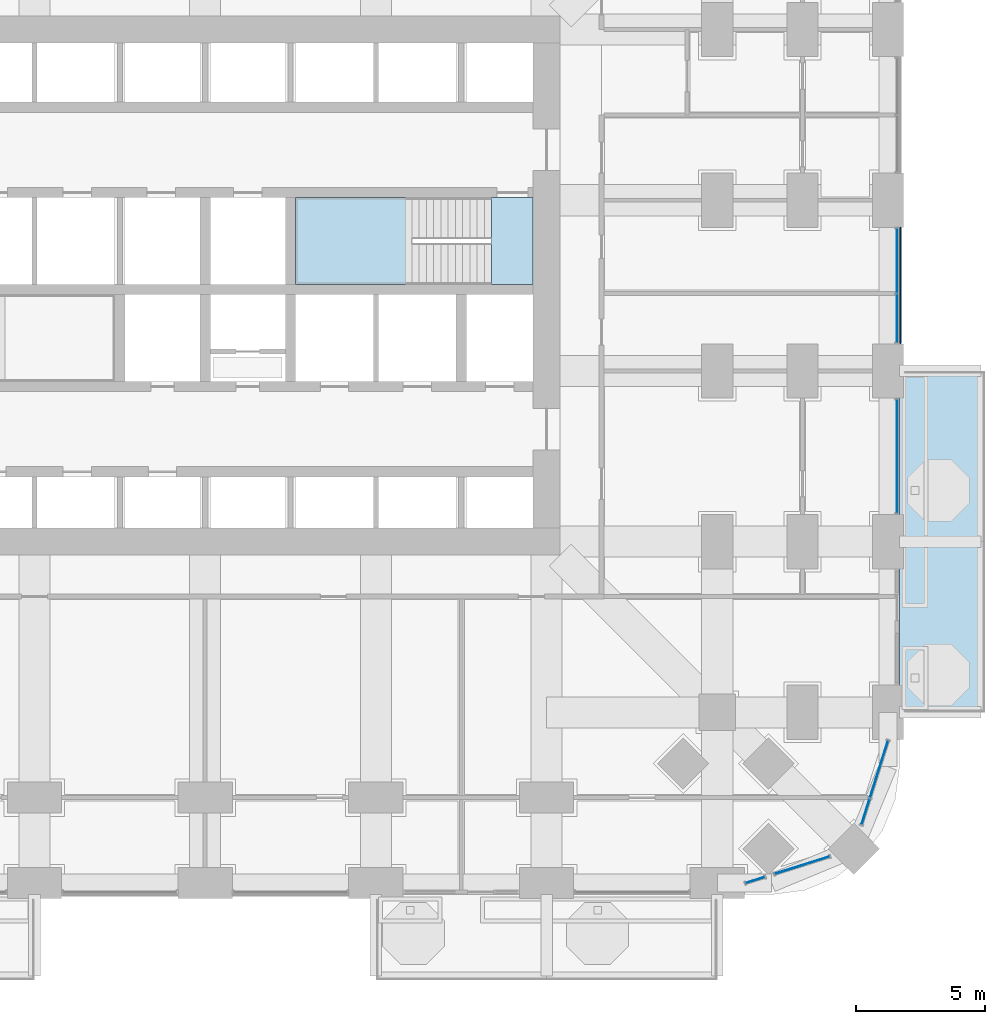
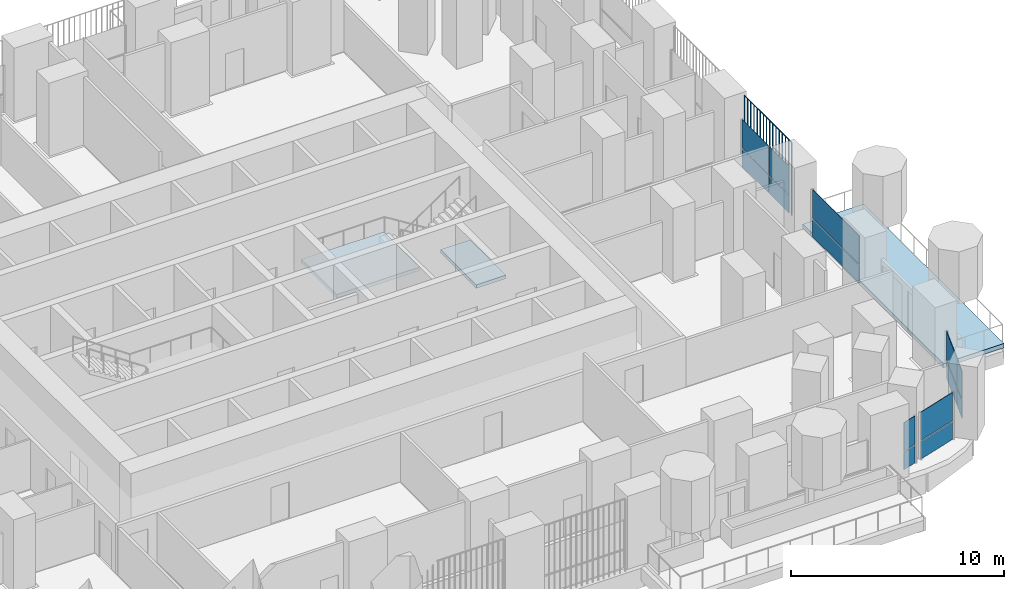
# One storey, part 14 of 27: 15 plates, 3 slabs, 6 elements without a shape of their own.
"""IFC4 building model written with IfcOpenShell, lengths in metres."""

from ifc_helpers import new_model, si_unit, direction, frame, origin, origin_2d, place, context, subcontext, project, spatial, polyline, rectangle, outline, extrude, material, layer, layer_set, type_object, element, aggregate, save


model = new_model("IFC4")

# Units and contexts
model_context = context("Model", 3, precision=1e-05, world=origin(), true_north=direction((0.0, 1.0)))
body_context = subcontext(model_context, "Body", "Model", "MODEL_VIEW")
ifc_project = project(units=[si_unit("LENGTHUNIT", "METRE"), si_unit("AREAUNIT", "SQUARE_METRE"), si_unit("VOLUMEUNIT", "CUBIC_METRE"), si_unit("PLANEANGLEUNIT", "RADIAN"), si_unit("MASSUNIT", "GRAM", prefix="KILO")], contexts=[model_context])

# Site, building, storey
site_placement = place(None, origin())
site = spatial("IfcSite", under=ifc_project, at=site_placement, CompositionType="ELEMENT")
building_placement = place(site_placement, origin())
building = spatial("IfcBuilding", under=site, at=building_placement, Name="Cobogo Forest Laboratory Tower", CompositionType="ELEMENT")
storey_placement = place(building_placement, frame((0.0, 0.0, 29.699951171875)))
storey = spatial("IfcBuildingStorey", under=building, at=storey_placement, Name="L06", CompositionType="ELEMENT", Elevation=29.699951171875)

# Slab
ifc_material_1 = material(Name="Concrete HA-40 (C40/50)", Category="concrete")
ifc_layer_1 = layer(ifc_material_1, 0.25)
ifc_layer_set_1 = layer_set([ifc_layer_1], Name="Balcony slab 250")
slab_type_1 = type_object("IfcSlabType", Name="Balcony slab 250", PredefinedType="FLOOR", material=ifc_layer_set_1)
slab_1_placement = place(storey_placement, frame((0.0, 0.0, -0.25)))
element("IfcSlab", 1, at=slab_1_placement, inside=storey, type_object=slab_type_1, Name="Balcony BAL-E1 L06", PredefinedType="FLOOR", context=body_context, shape_type="SweptSolid", body=[
    extrude(outline(polyline([(53.25, 6.60009765625), (56.550048828125, 6.60009765625), (56.550048828125, 19.800048828125), (53.25, 19.800048828125), (53.25, 6.60009765625)])), origin(), (0.0, 0.0, 1.0), 0.25),
])

# Curtain wall, plates
ifc_material_2 = material(Name="Aluminium curtain wall", Category="aluminium")
curtain_wall_type = type_object("IfcCurtainWallType", Name="CW-1 unitised curtain wall, clear glazing, laboratory floors zones A and B", PredefinedType="USERDEFINED", material=ifc_material_2)
curtain_wall_1_placement = place(storey_placement, origin())
curtain_wall_1 = element("IfcCurtainWall", 2, at=curtain_wall_1_placement, inside=storey, type_object=curtain_wall_type, Name="Curtain wall 07 L06", ObjectType="UNITISED CURTAIN WALL", PredefinedType="USERDEFINED")
ifc_material_3 = material(Name="Clear insulated glass", Category="glass")
ifc_layer_2 = layer(ifc_material_3, 0.028076171875)
ifc_layer_set_2 = layer_set([ifc_layer_2], Name="GP-1 clear insulated glass unit 28")
plate_type_1 = type_object("IfcPlateType", Name="GP-1 clear insulated glass unit 28", PredefinedType="CURTAIN_PANEL", material=ifc_layer_set_2)
plate_1_placement = place(storey_placement, frame((47.666015625, 0.113037109375, 0.0), z_axis=(0.0, 0.0, 1.0), x_axis=(0.953581504428, 0.301135043481, 0.0)))
plate_1 = element("IfcPlate", 3, at=plate_1_placement, type_object=plate_type_1, Name="CW-1 panel 1.1", PredefinedType="CURTAIN_PANEL", context=body_context, shape_type="SweptSolid", body=[
    extrude(rectangle(XDim=0.75244140625, YDim=0.028076171875, at=origin_2d()), origin(), (0.0, 0.0, 1.0), 1.02001953125),
])
plate_2_placement = place(storey_placement, frame((47.666015625, 0.113037109375, 1.080078125), z_axis=(0.0, 0.0, 1.0), x_axis=(0.953581504428, 0.301135043481, 0.0)))
plate_2 = element("IfcPlate", 4, at=plate_2_placement, type_object=plate_type_1, Name="CW-1 panel 1.2", PredefinedType="CURTAIN_PANEL", context=body_context, shape_type="SweptSolid", body=[
    extrude(rectangle(XDim=0.75244140625, YDim=0.028076171875, at=origin_2d()), origin(), (0.0, 0.0, 1.0), 1.6201171875),
])
aggregate(curtain_wall_1, [plate_1, plate_2])

curtain_wall_2_placement = place(storey_placement, origin())
curtain_wall_2 = element("IfcCurtainWall", 5, at=curtain_wall_2_placement, inside=storey, type_object=curtain_wall_type, Name="Curtain wall 08 L06", ObjectType="UNITISED CURTAIN WALL", PredefinedType="USERDEFINED")
plate_3_placement = place(storey_placement, frame((49.482177734375, 0.6865234375, 0.0), z_axis=(0.0, 0.0, 1.0), x_axis=(0.953581409645, 0.301135343623, 0.0)))
plate_3 = element("IfcPlate", 6, at=plate_3_placement, type_object=plate_type_1, Name="CW-1 panel 1.1", PredefinedType="CURTAIN_PANEL", context=body_context, shape_type="SweptSolid", body=[
    extrude(rectangle(XDim=2.203369140625, YDim=0.028076171875, at=origin_2d()), origin(), (0.0, 0.0, 1.0), 1.02001953125),
])
plate_4_placement = place(storey_placement, frame((49.482177734375, 0.6865234375, 1.080078125), z_axis=(0.0, 0.0, 1.0), x_axis=(0.953581409645, 0.301135343623, 0.0)))
plate_4 = element("IfcPlate", 7, at=plate_4_placement, type_object=plate_type_1, Name="CW-1 panel 1.2", PredefinedType="CURTAIN_PANEL", context=body_context, shape_type="SweptSolid", body=[
    extrude(rectangle(XDim=2.203369140625, YDim=0.028076171875, at=origin_2d()), origin(), (0.0, 0.0, 1.0), 1.6201171875),
])
aggregate(curtain_wall_2, [plate_3, plate_4])

curtain_wall_3_placement = place(storey_placement, origin())
curtain_wall_3 = element("IfcCurtainWall", 8, at=curtain_wall_3_placement, inside=storey, type_object=curtain_wall_type, Name="Curtain wall 09 L06", ObjectType="UNITISED CURTAIN WALL", PredefinedType="USERDEFINED")
plate_5_placement = place(storey_placement, frame((51.9365234375, 2.75732421875, 0.0), z_axis=(0.0, 0.0, 1.0), x_axis=(0.30113535792, 0.95358140513, 0.0)))
plate_5 = element("IfcPlate", 9, at=plate_5_placement, type_object=plate_type_1, Name="CW-1 panel 1.1", PredefinedType="CURTAIN_PANEL", context=body_context, shape_type="SweptSolid", body=[
    extrude(rectangle(XDim=1.027587890625, YDim=0.028076171875, at=origin_2d()), origin(), (0.0, 0.0, 1.0), 1.02001953125),
])
plate_6_placement = place(storey_placement, frame((51.9365234375, 2.75732421875, 1.080078125), z_axis=(0.0, 0.0, 1.0), x_axis=(0.30113535792, 0.95358140513, 0.0)))
plate_6 = element("IfcPlate", 10, at=plate_6_placement, type_object=plate_type_1, Name="CW-1 panel 1.2", PredefinedType="CURTAIN_PANEL", context=body_context, shape_type="SweptSolid", body=[
    extrude(rectangle(XDim=1.027587890625, YDim=0.028076171875, at=origin_2d()), origin(), (0.0, 0.0, 1.0), 1.6201171875),
])
plate_7_placement = place(storey_placement, frame((52.454833984375, 4.398681640625, 0.0), z_axis=(0.0, 0.0, 1.0), x_axis=(0.30113535792, 0.95358140513, 0.0)))
plate_7 = element("IfcPlate", 11, at=plate_7_placement, type_object=plate_type_1, Name="CW-1 panel 2.1", PredefinedType="CURTAIN_PANEL", context=body_context, shape_type="SweptSolid", body=[
    extrude(rectangle(XDim=2.294677734375, YDim=0.028076171875, at=origin_2d()), origin(), (0.0, 0.0, 1.0), 1.02001953125),
])
plate_8_placement = place(storey_placement, frame((52.454833984375, 4.398681640625, 1.080078125), z_axis=(0.0, 0.0, 1.0), x_axis=(0.30113535792, 0.95358140513, 0.0)))
plate_8 = element("IfcPlate", 12, at=plate_8_placement, type_object=plate_type_1, Name="CW-1 panel 2.2", PredefinedType="CURTAIN_PANEL", context=body_context, shape_type="SweptSolid", body=[
    extrude(rectangle(XDim=2.294677734375, YDim=0.028076171875, at=origin_2d()), origin(), (0.0, 0.0, 1.0), 1.6201171875),
])
aggregate(curtain_wall_3, [plate_5, plate_6, plate_7, plate_8])

curtain_wall_4_placement = place(storey_placement, origin())
curtain_wall_4 = element("IfcCurtainWall", 13, at=curtain_wall_4_placement, inside=storey, type_object=curtain_wall_type, Name="Curtain wall 11 L06", ObjectType="UNITISED CURTAIN WALL", PredefinedType="USERDEFINED")
plate_9_placement = place(storey_placement, frame((53.14990234375, 16.5, 0.0), z_axis=(0.0, 0.0, 1.0), x_axis=(0.0, 1.0, 0.0)))
plate_9 = element("IfcPlate", 14, at=plate_9_placement, type_object=plate_type_1, Name="CW-1 panel 1.1", PredefinedType="CURTAIN_PANEL", context=body_context, shape_type="SweptSolid", body=[
    extrude(rectangle(XDim=4.3798828125, YDim=0.028076171875, at=origin_2d()), origin(), (0.0, 0.0, 1.0), 1.02001953125),
])
plate_10_placement = place(storey_placement, frame((53.14990234375, 16.5, 1.080078125), z_axis=(0.0, 0.0, 1.0), x_axis=(0.0, 1.0, 0.0)))
plate_10 = element("IfcPlate", 15, at=plate_10_placement, type_object=plate_type_1, Name="CW-1 panel 1.2", PredefinedType="CURTAIN_PANEL", context=body_context, shape_type="SweptSolid", body=[
    extrude(rectangle(XDim=4.3798828125, YDim=0.028076171875, at=origin_2d()), origin(), (0.0, 0.0, 1.0), 1.6201171875),
])
aggregate(curtain_wall_4, [plate_9, plate_10])

curtain_wall_5_placement = place(storey_placement, origin())
curtain_wall_5 = element("IfcCurtainWall", 16, at=curtain_wall_5_placement, inside=storey, type_object=curtain_wall_type, Name="Curtain wall 12 L06", ObjectType="UNITISED CURTAIN WALL", PredefinedType="USERDEFINED")
plate_11_placement = place(storey_placement, frame((53.14990234375, 21.840087890625, 0.0), z_axis=(0.0, 0.0, 1.0), x_axis=(0.0, 1.0, 0.0)))
plate_11 = element("IfcPlate", 17, at=plate_11_placement, type_object=plate_type_1, Name="CW-1 panel 1.1", PredefinedType="CURTAIN_PANEL", context=body_context, shape_type="SweptSolid", body=[
    extrude(rectangle(XDim=1.860107421875, YDim=0.028076171875, at=origin_2d()), origin(), (0.0, 0.0, 1.0), 1.02001953125),
])
plate_12_placement = place(storey_placement, frame((53.14990234375, 21.840087890625, 1.080078125), z_axis=(0.0, 0.0, 1.0), x_axis=(0.0, 1.0, 0.0)))
plate_12 = element("IfcPlate", 18, at=plate_12_placement, type_object=plate_type_1, Name="CW-1 panel 1.2", PredefinedType="CURTAIN_PANEL", context=body_context, shape_type="SweptSolid", body=[
    extrude(rectangle(XDim=1.860107421875, YDim=0.028076171875, at=origin_2d()), origin(), (0.0, 0.0, 1.0), 1.6201171875),
])
plate_13_placement = place(storey_placement, frame((53.14990234375, 24.06005859375, 0.0), z_axis=(0.0, 0.0, 1.0), x_axis=(0.0, 1.0, 0.0)))
plate_13 = element("IfcPlate", 19, at=plate_13_placement, type_object=plate_type_1, Name="CW-1 panel 2.1", PredefinedType="CURTAIN_PANEL", context=body_context, shape_type="SweptSolid", body=[
    extrude(rectangle(XDim=2.4599609375, YDim=0.028076171875, at=origin_2d()), origin(), (0.0, 0.0, 1.0), 1.02001953125),
])
plate_14_placement = place(storey_placement, frame((53.14990234375, 24.06005859375, 1.080078125), z_axis=(0.0, 0.0, 1.0), x_axis=(0.0, 1.0, 0.0)))
plate_14 = element("IfcPlate", 20, at=plate_14_placement, type_object=plate_type_1, Name="CW-1 panel 2.2", PredefinedType="CURTAIN_PANEL", context=body_context, shape_type="SweptSolid", body=[
    extrude(rectangle(XDim=2.4599609375, YDim=0.028076171875, at=origin_2d()), origin(), (0.0, 0.0, 1.0), 1.6201171875),
])
aggregate(curtain_wall_5, [plate_11, plate_12, plate_13, plate_14])

# Stair, slabs
ifc_material_4 = material(Name="Precast concrete HA-40 (C40/50)", Category="concrete")
stair_type = type_object("IfcStairType", Name="ST24 exit stair 24 risers", PredefinedType="HALF_TURN_STAIR", material=ifc_material_4)
stair_placement = place(storey_placement, origin())
stair = element("IfcStair", 21, at=stair_placement, inside=storey, type_object=stair_type, Name="Stair 2 L06 to L07", PredefinedType="HALF_TURN_STAIR")
ifc_layer_3 = layer(ifc_material_1, 0.199951171875)
ifc_layer_set_3 = layer_set([ifc_layer_3], Name="SL stair landing 200")
slab_type_2 = type_object("IfcSlabType", Name="SL stair landing 200", PredefinedType="LANDING", material=ifc_layer_set_3)
slab_2_placement = place(storey_placement, frame((0.0, 0.0, -0.199951171875)))
slab_2 = element("IfcSlab", 22, at=slab_2_placement, type_object=slab_type_2, Name="ST2 landing 1", PredefinedType="LANDING", context=body_context, shape_type="SweptSolid", body=[
    extrude(outline(polyline([(37.472900390625, 23.14990234375), (39.074951171875, 23.14990234375), (39.074951171875, 26.5), (37.472900390625, 26.5), (37.472900390625, 23.14990234375)])), origin(), (0.0, 0.0, 1.0), 0.199951171875),
])
slab_3_placement = place(storey_placement, frame((0.0, 0.0, 1.900146484375)))
slab_3 = element("IfcSlab", 23, at=slab_3_placement, type_object=slab_type_2, Name="ST2 landing 2", PredefinedType="LANDING", context=body_context, shape_type="SweptSolid", body=[
    extrude(outline(polyline([(29.89990234375, 23.14990234375), (34.39697265625, 23.14990234375), (34.39697265625, 26.5), (29.89990234375, 26.5), (29.89990234375, 23.14990234375)])), origin(), (0.0, 0.0, 1.0), 0.199951171875),
])
aggregate(stair, [slab_2, slab_3])

# Plate
ifc_material_5 = material(Name="Terracotta", Category="masonry")
plate_type_2 = type_object("IfcPlateType", Name="TB1 terracotta baguette screen", PredefinedType="USERDEFINED", material=ifc_material_5)
plate_15_placement = place(storey_placement, frame((53.27783203125, 20.88134765625, -0.14990234375)))
element("IfcPlate", 24, at=plate_15_placement, inside=storey, type_object=plate_type_2, Name="Baguette screen E3 L06", ObjectType="BAGUETTE SCREEN", PredefinedType="USERDEFINED", context=body_context, shape_type="SweptSolid", body=[
    extrude(outline(polyline([(0.02880859375, 0.011962890625), (0.011962890625, 0.02880859375), (-0.011962890625, 0.02880859375), (-0.02880859375, 0.011962890625), (-0.02880859375, -0.011962890625), (-0.011962890625, -0.02880859375), (0.011962890625, -0.02880859375), (0.02880859375, -0.011962890625), (0.02880859375, 0.011962890625)])), frame((0.0, 0.0, 4.168701171875), z_axis=(0.0, 1.0, 0.0), x_axis=(-1.0, 0.0, 0.0)), (0.0, 0.0, 1.0), 4.4375),
    extrude(outline(polyline([(0.02880859375, 0.011962890625), (0.011962890625, 0.02880859375), (-0.011962890625, 0.02880859375), (-0.02880859375, 0.011962890625), (-0.02880859375, -0.011962890625), (-0.011962890625, -0.02880859375), (0.011962890625, -0.02880859375), (0.02880859375, -0.011962890625), (0.02880859375, 0.011962890625)])), origin(), (0.0, 0.0, 1.0), 4.137451171875),
    extrude(outline(polyline([(0.02880859375, 0.011962890625), (0.011962890625, 0.02880859375), (-0.011962890625, 0.02880859375), (-0.02880859375, 0.011962890625), (-0.02880859375, -0.011962890625), (-0.011962890625, -0.02880859375), (0.011962890625, -0.02880859375), (0.02880859375, -0.011962890625), (0.02880859375, 0.011962890625)])), frame((0.0, 0.2958984375, 0.0)), (0.0, 0.0, 1.0), 4.137451171875),
    extrude(outline(polyline([(0.02880859375, 0.011962890625), (0.011962890625, 0.02880859375), (-0.011962890625, 0.02880859375), (-0.02880859375, 0.011962890625), (-0.02880859375, -0.011962890625), (-0.011962890625, -0.02880859375), (0.011962890625, -0.02880859375), (0.02880859375, -0.011962890625), (0.02880859375, 0.011962890625)])), frame((0.0, 0.591552734375, 0.0)), (0.0, 0.0, 1.0), 4.137451171875),
    extrude(outline(polyline([(0.02880859375, 0.011962890625), (0.011962890625, 0.02880859375), (-0.011962890625, 0.02880859375), (-0.02880859375, 0.011962890625), (-0.02880859375, -0.011962890625), (-0.011962890625, -0.02880859375), (0.011962890625, -0.02880859375), (0.02880859375, -0.011962890625), (0.02880859375, 0.011962890625)])), frame((0.0, 0.887451171875, 0.0)), (0.0, 0.0, 1.0), 4.137451171875),
    extrude(outline(polyline([(0.02880859375, 0.011962890625), (0.011962890625, 0.02880859375), (-0.011962890625, 0.02880859375), (-0.02880859375, 0.011962890625), (-0.02880859375, -0.011962890625), (-0.011962890625, -0.02880859375), (0.011962890625, -0.02880859375), (0.02880859375, -0.011962890625), (0.02880859375, 0.011962890625)])), frame((0.0, 1.183349609375, 0.0)), (0.0, 0.0, 1.0), 4.137451171875),
    extrude(outline(polyline([(0.02880859375, 0.011962890625), (0.011962890625, 0.02880859375), (-0.011962890625, 0.02880859375), (-0.02880859375, 0.011962890625), (-0.02880859375, -0.011962890625), (-0.011962890625, -0.02880859375), (0.011962890625, -0.02880859375), (0.02880859375, -0.011962890625), (0.02880859375, 0.011962890625)])), frame((0.0, 1.479248046875, 0.0)), (0.0, 0.0, 1.0), 4.137451171875),
    extrude(outline(polyline([(0.02880859375, 0.011962890625), (0.011962890625, 0.02880859375), (-0.011962890625, 0.02880859375), (-0.02880859375, 0.011962890625), (-0.02880859375, -0.011962890625), (-0.011962890625, -0.02880859375), (0.011962890625, -0.02880859375), (0.02880859375, -0.011962890625), (0.02880859375, 0.011962890625)])), frame((0.0, 1.77490234375, 0.0)), (0.0, 0.0, 1.0), 4.137451171875),
    extrude(outline(polyline([(0.02880859375, 0.011962890625), (0.011962890625, 0.02880859375), (-0.011962890625, 0.02880859375), (-0.02880859375, 0.011962890625), (-0.02880859375, -0.011962890625), (-0.011962890625, -0.02880859375), (0.011962890625, -0.02880859375), (0.02880859375, -0.011962890625), (0.02880859375, 0.011962890625)])), frame((0.0, 2.07080078125, 0.0)), (0.0, 0.0, 1.0), 4.137451171875),
    extrude(outline(polyline([(0.02880859375, 0.011962890625), (0.011962890625, 0.02880859375), (-0.011962890625, 0.02880859375), (-0.02880859375, 0.011962890625), (-0.02880859375, -0.011962890625), (-0.011962890625, -0.02880859375), (0.011962890625, -0.02880859375), (0.02880859375, -0.011962890625), (0.02880859375, 0.011962890625)])), frame((0.0, 2.36669921875, 0.0)), (0.0, 0.0, 1.0), 4.137451171875),
    extrude(outline(polyline([(0.02880859375, 0.011962890625), (0.011962890625, 0.02880859375), (-0.011962890625, 0.02880859375), (-0.02880859375, 0.011962890625), (-0.02880859375, -0.011962890625), (-0.011962890625, -0.02880859375), (0.011962890625, -0.02880859375), (0.02880859375, -0.011962890625), (0.02880859375, 0.011962890625)])), frame((0.0, 2.66259765625, 0.0)), (0.0, 0.0, 1.0), 4.137451171875),
    extrude(outline(polyline([(0.02880859375, 0.011962890625), (0.011962890625, 0.02880859375), (-0.011962890625, 0.02880859375), (-0.02880859375, 0.011962890625), (-0.02880859375, -0.011962890625), (-0.011962890625, -0.02880859375), (0.011962890625, -0.02880859375), (0.02880859375, -0.011962890625), (0.02880859375, 0.011962890625)])), frame((0.0, 2.958251953125, 0.0)), (0.0, 0.0, 1.0), 4.137451171875),
    extrude(outline(polyline([(0.02880859375, 0.011962890625), (0.011962890625, 0.02880859375), (-0.011962890625, 0.02880859375), (-0.02880859375, 0.011962890625), (-0.02880859375, -0.011962890625), (-0.011962890625, -0.02880859375), (0.011962890625, -0.02880859375), (0.02880859375, -0.011962890625), (0.02880859375, 0.011962890625)])), frame((0.0, 3.254150390625, 0.0)), (0.0, 0.0, 1.0), 4.137451171875),
    extrude(outline(polyline([(0.02880859375, 0.011962890625), (0.011962890625, 0.02880859375), (-0.011962890625, 0.02880859375), (-0.02880859375, 0.011962890625), (-0.02880859375, -0.011962890625), (-0.011962890625, -0.02880859375), (0.011962890625, -0.02880859375), (0.02880859375, -0.011962890625), (0.02880859375, 0.011962890625)])), frame((0.0, 3.550048828125, 0.0)), (0.0, 0.0, 1.0), 4.137451171875),
    extrude(outline(polyline([(0.02880859375, 0.011962890625), (0.011962890625, 0.02880859375), (-0.011962890625, 0.02880859375), (-0.02880859375, 0.011962890625), (-0.02880859375, -0.011962890625), (-0.011962890625, -0.02880859375), (0.011962890625, -0.02880859375), (0.02880859375, -0.011962890625), (0.02880859375, 0.011962890625)])), frame((0.0, 3.845947265625, 0.0)), (0.0, 0.0, 1.0), 4.137451171875),
    extrude(outline(polyline([(0.02880859375, 0.011962890625), (0.011962890625, 0.02880859375), (-0.011962890625, 0.02880859375), (-0.02880859375, 0.011962890625), (-0.02880859375, -0.011962890625), (-0.011962890625, -0.02880859375), (0.011962890625, -0.02880859375), (0.02880859375, -0.011962890625), (0.02880859375, 0.011962890625)])), frame((0.0, 4.1416015625, 0.0)), (0.0, 0.0, 1.0), 4.137451171875),
    extrude(outline(polyline([(0.02880859375, 0.011962890625), (0.011962890625, 0.02880859375), (-0.011962890625, 0.02880859375), (-0.02880859375, 0.011962890625), (-0.02880859375, -0.011962890625), (-0.011962890625, -0.02880859375), (0.011962890625, -0.02880859375), (0.02880859375, -0.011962890625), (0.02880859375, 0.011962890625)])), frame((0.0, 4.4375, 0.0)), (0.0, 0.0, 1.0), 4.137451171875),
])

save(model, "model.ifc")
